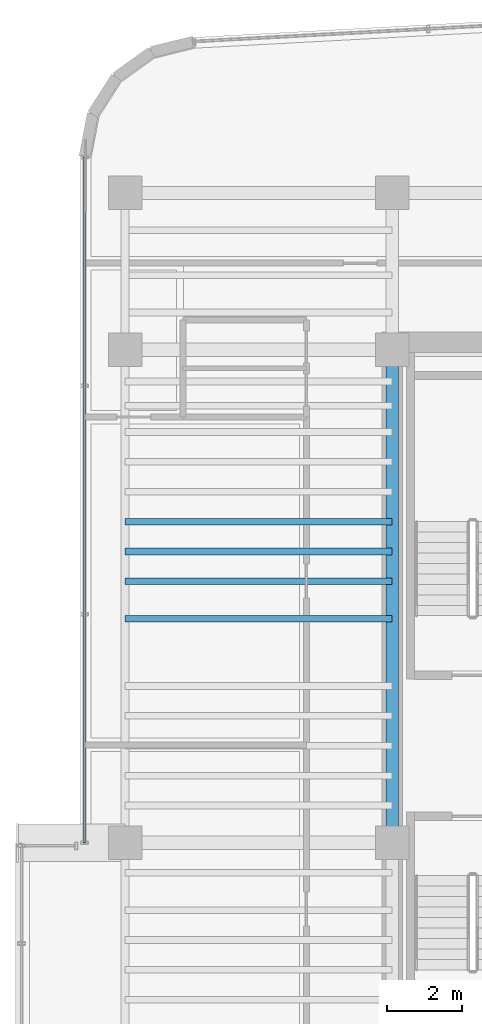
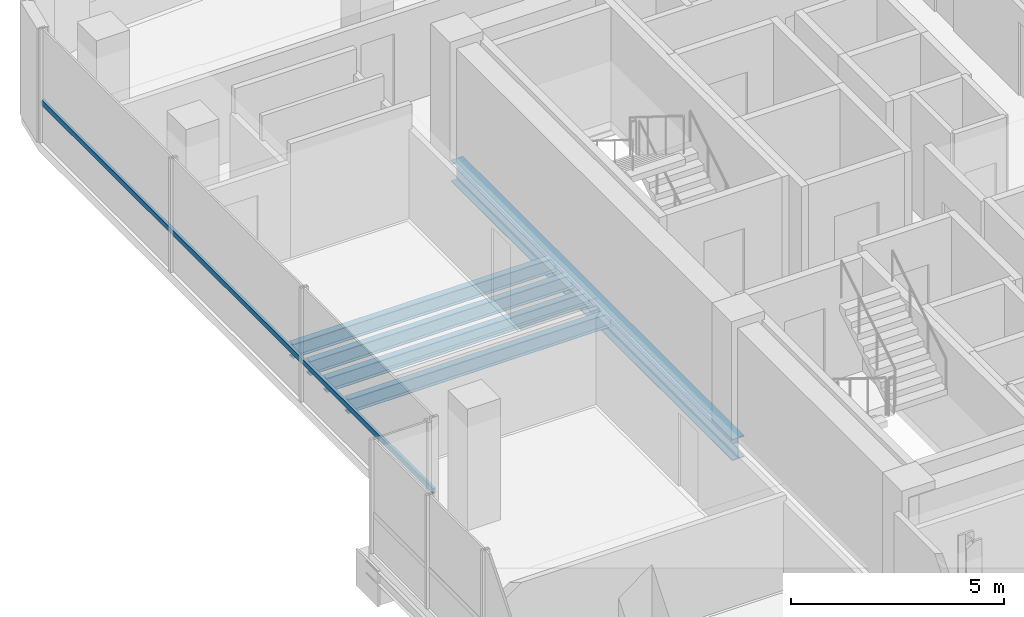
# One storey, part 8 of 22: 5 beams, 1 member, 1 element without a shape of its own.
"""IFC4 building model written with IfcOpenShell, lengths in metres."""

from ifc_helpers import new_model, si_unit, direction, frame, origin, origin_2d, place, context, subcontext, project, spatial, hollow_rectangle, i_section, extrude, source, transform, mapped, material, material_profile, profile_set, type_object, element, aggregate, save


model = new_model("IFC4")

# Units and contexts
model_context = context("Model", 3, precision=1e-05, world=origin(), true_north=direction((0.0, 1.0)))
body_context = subcontext(model_context, "Body", "Model", "MODEL_VIEW")
ifc_project = project(units=[si_unit("LENGTHUNIT", "METRE"), si_unit("AREAUNIT", "SQUARE_METRE"), si_unit("VOLUMEUNIT", "CUBIC_METRE"), si_unit("PLANEANGLEUNIT", "RADIAN"), si_unit("MASSUNIT", "GRAM", prefix="KILO")], contexts=[model_context])

# Site, building, storey
site_placement = place(None, origin())
site = spatial("IfcSite", under=ifc_project, at=site_placement, CompositionType="ELEMENT")
building_placement = place(site_placement, origin())
building = spatial("IfcBuilding", under=site, at=building_placement, Name="Valdorenza Pilgrim Sanctuary Tower", CompositionType="ELEMENT")
storey_placement = place(building_placement, frame((0.0, 0.0, 237.0)))
storey = spatial("IfcBuildingStorey", under=building, at=storey_placement, Name="L61", CompositionType="ELEMENT", Elevation=237.0)

# Beams
ifc_material_1 = material(Name="Steel ASTM A992 Grade 50", Category="steel")
ifc_material_profile_1 = material_profile(ifc_material_1, i_section(OverallWidth=0.323974609375, OverallDepth=0.611083984375, WebThickness=0.0126953125, FlangeThickness=0.01904296875, at=origin_2d()), Name="W24X104")
ifc_profile_set_1 = profile_set([ifc_material_profile_1], Name="Steel ASTM A992 Grade 50")
beam_type_1 = type_object("IfcBeamType", Name="STR-BM-GRD-W24B", PredefinedType="BEAM", material=ifc_profile_set_1)
shared_shape_1 = source(origin(), body_context, "Body", "SweptSolid", [
    extrude(i_section(OverallWidth=0.323974609375, OverallDepth=0.611083984375, WebThickness=0.0126953125, FlangeThickness=0.01904296875, at=origin_2d()), origin(), (0.0, 0.0, 1.0), 13.2001953125),
])
beam_placement = place(storey_placement, frame((-22.64990234375, -2.60009765625, -0.54541015625), z_axis=(0.0, 1.0, 0.0), x_axis=(-1.0, 0.0, 0.0)))
element("IfcBeam", 1, at=beam_placement, inside=storey, type_object=beam_type_1, Name="L61 Core Tie Girder CA-W-M0N1", PredefinedType="BEAM", context=body_context, shape_type="MappedRepresentation", body=[
    mapped(shared_shape_1, transform((0.0, 0.0, 0.0), x_axis=(1.0, 0.0, 0.0), y_axis=(0.0, 1.0, 0.0), z_axis=(0.0, 0.0, 1.0), scale=1.0)),
])
ifc_material_profile_2 = material_profile(ifc_material_1, i_section(OverallWidth=0.177978515625, OverallDepth=0.406005859375, WebThickness=0.0078125, FlangeThickness=0.0126953125, at=origin_2d()), Name="W16X40")
ifc_profile_set_2 = profile_set([ifc_material_profile_2], Name="Steel ASTM A992 Grade 50")
beam_type_2 = type_object("IfcBeamType", Name="STR-BM-JST-W16", PredefinedType="JOIST", material=ifc_profile_set_2)
shared_shape_2 = source(origin(), body_context, "Body", "SweptSolid", [
    extrude(i_section(OverallWidth=0.177978515625, OverallDepth=0.406005859375, WebThickness=0.0078125, FlangeThickness=0.0126953125, at=origin_2d()), origin(), (0.0, 0.0, 1.0), 7.150146484375),
])
for number, where, z_axis, x_axis, name in (
    (2, (-29.800048828125, 3.39990234375, -0.443115234375), (1.0, 0.0, 0.0), (0.0, 1.0, 0.0), "L61 Composite Floor Joist JST-WA-15"),
    (3, (-29.800048828125, 4.39990234375, -0.443115234375), (1.0, 0.0, 0.0), (0.0, 1.0, 0.0), "L61 Composite Floor Joist JST-WA-16"),
    (4, (-29.800048828125, 5.199951171875, -0.443115234375), (1.0, 0.0, 0.0), (0.0, 1.0, 0.0), "L61 Composite Floor Joist JST-WA-17"),
    (5, (-29.800048828125, 6.0, -0.443115234375), (1.0, 0.0, 0.0), (0.0, 1.0, 0.0), "L61 Composite Floor Joist JST-WA-18"),
):
    element("IfcBeam", number, at=place(storey_placement, frame(where, z_axis=z_axis, x_axis=x_axis)), inside=storey, type_object=beam_type_2, Name=name, PredefinedType="JOIST", context=body_context, shape_type="MappedRepresentation", body=[
        mapped(shared_shape_2, transform((0.0, 0.0, 0.0), x_axis=(1.0, 0.0, 0.0), y_axis=(0.0, 1.0, 0.0), z_axis=(0.0, 0.0, 1.0), scale=1.0)),
    ])

# Curtain wall, member
ifc_material_2 = material(Name="Curtain-wall IGU glazing", Category="glass")
curtain_wall_type = type_object("IfcCurtainWallType", Name="CW-SYS-02", PredefinedType="NOTDEFINED", material=ifc_material_2)
curtain_wall_placement = place(storey_placement, origin())
curtain_wall = element("IfcCurtainWall", 6, at=curtain_wall_placement, inside=storey, type_object=curtain_wall_type, Name="L61 Curtain Wall CW-L61-1-1S2", PredefinedType="NOTDEFINED")
ifc_material_3 = material(Name="Anodised aluminium AW-6060", Category="aluminium")
ifc_material_profile_3 = material_profile(ifc_material_3, hollow_rectangle(XDim=0.074951171875, YDim=0.14990234375, WallThickness=0.00390625, at=origin_2d()), Name="ALU-T 150x75x4")
ifc_profile_set_3 = profile_set([ifc_material_profile_3], Name="Anodised aluminium AW-6060")
member_type = type_object("IfcMemberType", Name="CW-TRN-02", PredefinedType="USERDEFINED", material=ifc_profile_set_3)
shared_shape_3 = source(origin(), body_context, "Body", "SweptSolid", [
    extrude(hollow_rectangle(XDim=0.074951171875, YDim=0.14990234375, WallThickness=0.00390625, at=origin_2d()), origin(), (0.0, 0.0, 1.0), 18.357666015625),
])
member_placement = place(storey_placement, frame((-30.889892578125, -2.60009765625, 1.1201171875), z_axis=(0.0, 1.0, 0.0), x_axis=(-1.0, 0.0, 0.0)))
member = element("IfcMember", 7, at=member_placement, type_object=member_type, Name="CW-L61-1-1S2 Transom 1", ObjectType="TRANSOM", PredefinedType="USERDEFINED", context=body_context, shape_type="MappedRepresentation", body=[
    mapped(shared_shape_3, transform((0.0, 0.0, 0.0), x_axis=(1.0, 0.0, 0.0), y_axis=(0.0, 1.0, 0.0), z_axis=(0.0, 0.0, 1.0), scale=1.0)),
])
aggregate(curtain_wall, [member])

save(model, "model.ifc")
